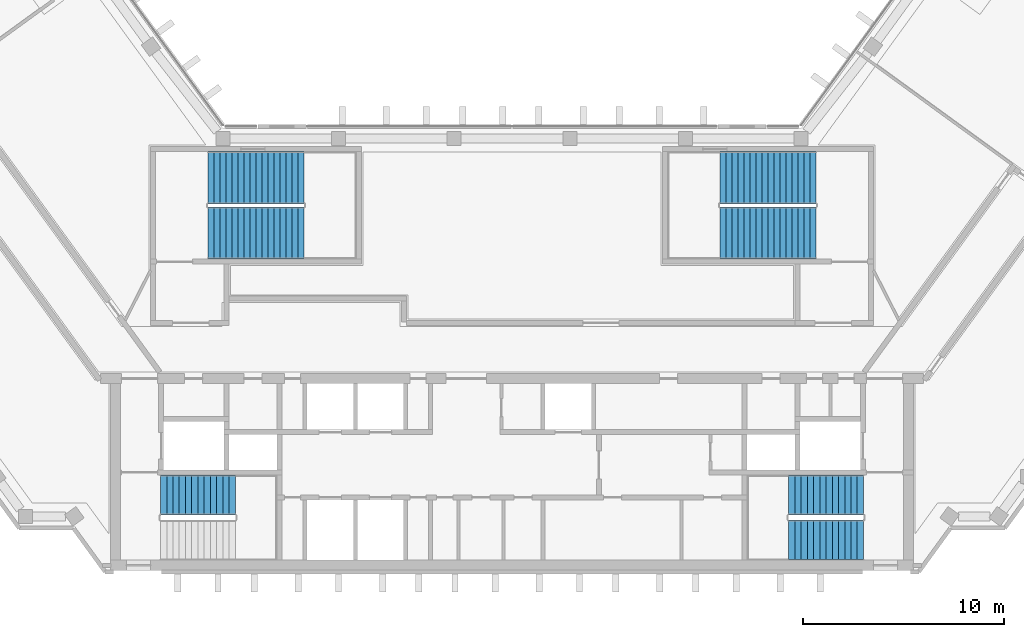
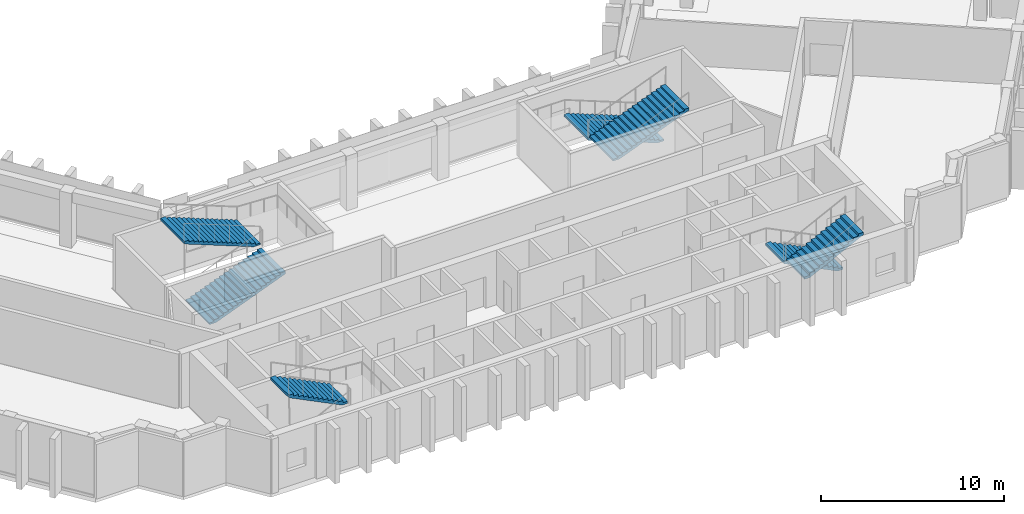
# One storey, part 7 of 9: 7 stair flights, 4 elements without a shape of their own.
"""IFC4 building model written with IfcOpenShell, lengths in metres."""

from ifc_helpers import new_model, si_unit, direction, frame, origin, place, context, subcontext, project, spatial, polyline, outline, extrude, material, type_object, element, aggregate, save


model = new_model("IFC4")

# Units and contexts
model_context = context("Model", 3, precision=1e-05, world=origin(), true_north=direction((0.0, 1.0)))
body_context = subcontext(model_context, "Body", "Model", "MODEL_VIEW")
ifc_project = project(units=[si_unit("LENGTHUNIT", "METRE"), si_unit("AREAUNIT", "SQUARE_METRE"), si_unit("VOLUMEUNIT", "CUBIC_METRE"), si_unit("PLANEANGLEUNIT", "RADIAN"), si_unit("MASSUNIT", "GRAM", prefix="KILO")], contexts=[model_context])

# Site, building, storey
site_placement = place(None, origin())
site = spatial("IfcSite", under=ifc_project, at=site_placement, CompositionType="ELEMENT")
building_placement = place(site_placement, origin())
building = spatial("IfcBuilding", under=site, at=building_placement, Name="Quipu Civic Tower", CompositionType="ELEMENT")
storey_placement = place(building_placement, frame((0.0, 0.0, 307.0)))
storey = spatial("IfcBuildingStorey", under=building, at=storey_placement, Name="L71", CompositionType="ELEMENT", Elevation=307.0)

# Stair, stair flight
ifc_material_1 = material(Name="Concrete C40/50", Category="concrete")
stair_type_1 = type_object("IfcStairType", Name="Half turn stair 2000", PredefinedType="HALF_TURN_STAIR", material=ifc_material_1)
stair_1_placement = place(storey_placement, origin())
stair_1 = element("IfcStair", 1, at=stair_1_placement, inside=storey, type_object=stair_type_1, Name="Exit stair 1", PredefinedType="HALF_TURN_STAIR")
ifc_material_2 = material(Name="Concrete C40/50", Category="concrete")
stair_flight_type_1 = type_object("IfcStairFlightType", Name="Stair flight 2000", PredefinedType="STRAIGHT", material=ifc_material_2)
stair_flight_1_placement = place(storey_placement, frame((-13.780029296875, -7.25, 2.0), z_axis=(0.0, 0.0, 1.0), x_axis=(-1.0, 0.0, 0.0)))
stair_flight_1 = element("IfcStairFlight", 2, at=stair_flight_1_placement, type_object=stair_flight_type_1, Name="ST-1 flight 2", NumberOfRisers=13, NumberOfTreads=12, PredefinedType="STRAIGHT", RiserHeight=0.153846154, TreadLength=0.31, context=body_context, shape_type="SweptSolid", body=[
    extrude(outline(polyline([(0.0, 0.0), (0.0, 0.15380859375), (0.31005859375, 0.15380859375), (0.31005859375, 0.3076171875), (0.6201171875, 0.3076171875), (0.6201171875, 0.46142578125), (0.929931640625, 0.46142578125), (0.929931640625, 0.615478515625), (1.239990234375, 0.615478515625), (1.239990234375, 0.769287109375), (1.550048828125, 0.769287109375), (1.550048828125, 0.923095703125), (1.860107421875, 0.923095703125), (1.860107421875, 1.076904296875), (2.169921875, 1.076904296875), (2.169921875, 1.230712890625), (2.47998046875, 1.230712890625), (2.47998046875, 1.384521484375), (2.7900390625, 1.384521484375), (2.7900390625, 1.53857421875), (3.10009765625, 1.53857421875), (3.10009765625, 1.6923828125), (3.409912109375, 1.6923828125), (3.409912109375, 1.84619140625), (3.719970703125, 1.84619140625), (3.719970703125, 2.0), (3.719970703125, 1.6787109375), (0.337158203125, 0.0), (0.0, 0.0)])), frame((0.0, 1.0, 0.0), z_axis=(0.0, -1.0, 0.0), x_axis=(1.0, 0.0, 0.0)), (0.0, 0.0, 1.0), 2.0),
])
aggregate(stair_1, [stair_flight_1])

# Stair, stair flights
stair_2_placement = place(storey_placement, origin())
stair_2 = element("IfcStair", 3, at=stair_2_placement, inside=storey, type_object=stair_type_1, Name="Exit stair 2", PredefinedType="HALF_TURN_STAIR")
stair_flight_2_placement = place(storey_placement, frame((17.5, -7.25, 0.0), z_axis=(0.0, 0.0, 1.0), x_axis=(-1.0, 0.0, 0.0)))
stair_flight_2 = element("IfcStairFlight", 4, at=stair_flight_2_placement, type_object=stair_flight_type_1, Name="ST-2 flight 1", NumberOfRisers=13, NumberOfTreads=12, PredefinedType="STRAIGHT", RiserHeight=0.153846154, TreadLength=0.31, context=body_context, shape_type="SweptSolid", body=[
    extrude(outline(polyline([(0.0, 0.0), (0.0, 0.15380859375), (0.31005859375, 0.15380859375), (0.31005859375, 0.3076171875), (0.6201171875, 0.3076171875), (0.6201171875, 0.46142578125), (0.929931640625, 0.46142578125), (0.929931640625, 0.615478515625), (1.239990234375, 0.615478515625), (1.239990234375, 0.769287109375), (1.550048828125, 0.769287109375), (1.550048828125, 0.923095703125), (1.860107421875, 0.923095703125), (1.860107421875, 1.076904296875), (2.169921875, 1.076904296875), (2.169921875, 1.230712890625), (2.47998046875, 1.230712890625), (2.47998046875, 1.384521484375), (2.7900390625, 1.384521484375), (2.7900390625, 1.53857421875), (3.10009765625, 1.53857421875), (3.10009765625, 1.6923828125), (3.409912109375, 1.6923828125), (3.409912109375, 1.84619140625), (3.719970703125, 1.84619140625), (3.719970703125, 2.0), (3.719970703125, 1.6787109375), (0.337158203125, 0.0), (0.0, 0.0)])), frame((0.0, 1.0, 0.0), z_axis=(0.0, -1.0, 0.0), x_axis=(1.0, 0.0, 0.0)), (0.0, 0.0, 1.0), 2.0),
])
stair_flight_3_placement = place(storey_placement, frame((13.780029296875, -9.5, 2.0), z_axis=(0.0, 0.0, 1.0), x_axis=(1.0, 0.0, 0.0)))
stair_flight_3 = element("IfcStairFlight", 5, at=stair_flight_3_placement, type_object=stair_flight_type_1, Name="ST-2 flight 2", NumberOfRisers=13, NumberOfTreads=12, PredefinedType="STRAIGHT", RiserHeight=0.153846154, TreadLength=0.31, context=body_context, shape_type="SweptSolid", body=[
    extrude(outline(polyline([(0.0, 0.0), (0.0, 0.15380859375), (0.31005859375, 0.15380859375), (0.31005859375, 0.3076171875), (0.6201171875, 0.3076171875), (0.6201171875, 0.46142578125), (0.929931640625, 0.46142578125), (0.929931640625, 0.615478515625), (1.239990234375, 0.615478515625), (1.239990234375, 0.769287109375), (1.550048828125, 0.769287109375), (1.550048828125, 0.923095703125), (1.860107421875, 0.923095703125), (1.860107421875, 1.076904296875), (2.169921875, 1.076904296875), (2.169921875, 1.230712890625), (2.47998046875, 1.230712890625), (2.47998046875, 1.384521484375), (2.7900390625, 1.384521484375), (2.7900390625, 1.53857421875), (3.10009765625, 1.53857421875), (3.10009765625, 1.6923828125), (3.409912109375, 1.6923828125), (3.409912109375, 1.84619140625), (3.719970703125, 1.84619140625), (3.719970703125, 2.0), (3.719970703125, 1.6787109375), (0.337158203125, 0.0), (0.0, 0.0)])), frame((0.0, 1.0, 0.0), z_axis=(0.0, -1.0, 0.0), x_axis=(1.0, 0.0, 0.0)), (0.0, 0.0, 1.0), 2.0),
])
aggregate(stair_2, [stair_flight_2, stair_flight_3])

ifc_material_3 = material(Name="Concrete C40/50", Category="concrete")
stair_type_2 = type_object("IfcStairType", Name="Half turn stair 2600", PredefinedType="HALF_TURN_STAIR", material=ifc_material_3)
stair_3_placement = place(storey_placement, origin())
stair_3 = element("IfcStair", 6, at=stair_3_placement, inside=storey, type_object=stair_type_2, Name="Exit stair 3", PredefinedType="HALF_TURN_STAIR")
ifc_material_4 = material(Name="Concrete C40/50", Category="concrete")
stair_flight_type_2 = type_object("IfcStairFlightType", Name="Stair flight 2600", PredefinedType="STRAIGHT", material=ifc_material_4)
stair_flight_4_placement = place(storey_placement, frame((-15.14990234375, 5.800048828125, 0.0), z_axis=(0.0, 0.0, 1.0), x_axis=(1.0, 0.0, 0.0)))
stair_flight_4 = element("IfcStairFlight", 7, at=stair_flight_4_placement, type_object=stair_flight_type_2, Name="ST-3 flight 1", NumberOfRisers=17, NumberOfTreads=16, PredefinedType="STRAIGHT", RiserHeight=0.117647059, TreadLength=0.3, context=body_context, shape_type="SweptSolid", body=[
    extrude(outline(polyline([(0.0, 0.0), (0.0, 0.11767578125), (0.300048828125, 0.11767578125), (0.300048828125, 0.2353515625), (0.60009765625, 0.2353515625), (0.60009765625, 0.35302734375), (0.89990234375, 0.35302734375), (0.89990234375, 0.470703125), (1.199951171875, 0.470703125), (1.199951171875, 0.588134765625), (1.5, 0.588134765625), (1.5, 0.705810546875), (1.800048828125, 0.705810546875), (1.800048828125, 0.823486328125), (2.10009765625, 0.823486328125), (2.10009765625, 0.941162109375), (2.39990234375, 0.941162109375), (2.39990234375, 1.058837890625), (2.699951171875, 1.058837890625), (2.699951171875, 1.176513671875), (3.0, 1.176513671875), (3.0, 1.294189453125), (3.300048828125, 1.294189453125), (3.300048828125, 1.411865234375), (3.60009765625, 1.411865234375), (3.60009765625, 1.529296875), (3.89990234375, 1.529296875), (3.89990234375, 1.64697265625), (4.199951171875, 1.64697265625), (4.199951171875, 1.7646484375), (4.5, 1.7646484375), (4.5, 1.88232421875), (4.800048828125, 1.88232421875), (4.800048828125, 2.0), (4.800048828125, 1.721435546875), (0.41064453125, 0.0), (0.0, 0.0)])), frame((0.0, 1.300048828125, 0.0), z_axis=(0.0, -1.0, 0.0), x_axis=(1.0, 0.0, 0.0)), (0.0, 0.0, 1.0), 2.60009765625),
])
stair_flight_5_placement = place(storey_placement, frame((-10.35009765625, 8.550048828125, 2.0), z_axis=(0.0, 0.0, 1.0), x_axis=(-1.0, 0.0, 0.0)))
stair_flight_5 = element("IfcStairFlight", 8, at=stair_flight_5_placement, type_object=stair_flight_type_2, Name="ST-3 flight 2", NumberOfRisers=17, NumberOfTreads=16, PredefinedType="STRAIGHT", RiserHeight=0.117647059, TreadLength=0.3, context=body_context, shape_type="SweptSolid", body=[
    extrude(outline(polyline([(0.0, 0.0), (0.0, 0.11767578125), (0.300048828125, 0.11767578125), (0.300048828125, 0.2353515625), (0.60009765625, 0.2353515625), (0.60009765625, 0.35302734375), (0.89990234375, 0.35302734375), (0.89990234375, 0.470703125), (1.199951171875, 0.470703125), (1.199951171875, 0.588134765625), (1.5, 0.588134765625), (1.5, 0.705810546875), (1.800048828125, 0.705810546875), (1.800048828125, 0.823486328125), (2.10009765625, 0.823486328125), (2.10009765625, 0.941162109375), (2.39990234375, 0.941162109375), (2.39990234375, 1.058837890625), (2.699951171875, 1.058837890625), (2.699951171875, 1.176513671875), (3.0, 1.176513671875), (3.0, 1.294189453125), (3.300048828125, 1.294189453125), (3.300048828125, 1.411865234375), (3.60009765625, 1.411865234375), (3.60009765625, 1.529296875), (3.89990234375, 1.529296875), (3.89990234375, 1.64697265625), (4.199951171875, 1.64697265625), (4.199951171875, 1.7646484375), (4.5, 1.7646484375), (4.5, 1.88232421875), (4.800048828125, 1.88232421875), (4.800048828125, 2.0), (4.800048828125, 1.721435546875), (0.41064453125, 0.0), (0.0, 0.0)])), frame((0.0, 1.300048828125, 0.0), z_axis=(0.0, -1.0, 0.0), x_axis=(1.0, 0.0, 0.0)), (0.0, 0.0, 1.0), 2.60009765625),
])
aggregate(stair_3, [stair_flight_4, stair_flight_5])

stair_4_placement = place(storey_placement, origin())
stair_4 = element("IfcStair", 9, at=stair_4_placement, inside=storey, type_object=stair_type_2, Name="Exit stair 4", PredefinedType="HALF_TURN_STAIR")
stair_flight_6_placement = place(storey_placement, frame((15.14990234375, 8.550048828125, 0.0), z_axis=(0.0, 0.0, 1.0), x_axis=(-1.0, 0.0, 0.0)))
stair_flight_6 = element("IfcStairFlight", 10, at=stair_flight_6_placement, type_object=stair_flight_type_2, Name="ST-4 flight 1", NumberOfRisers=17, NumberOfTreads=16, PredefinedType="STRAIGHT", RiserHeight=0.117647059, TreadLength=0.3, context=body_context, shape_type="SweptSolid", body=[
    extrude(outline(polyline([(0.0, 0.0), (0.0, 0.11767578125), (0.300048828125, 0.11767578125), (0.300048828125, 0.2353515625), (0.60009765625, 0.2353515625), (0.60009765625, 0.35302734375), (0.89990234375, 0.35302734375), (0.89990234375, 0.470703125), (1.199951171875, 0.470703125), (1.199951171875, 0.588134765625), (1.5, 0.588134765625), (1.5, 0.705810546875), (1.800048828125, 0.705810546875), (1.800048828125, 0.823486328125), (2.10009765625, 0.823486328125), (2.10009765625, 0.941162109375), (2.39990234375, 0.941162109375), (2.39990234375, 1.058837890625), (2.699951171875, 1.058837890625), (2.699951171875, 1.176513671875), (3.0, 1.176513671875), (3.0, 1.294189453125), (3.300048828125, 1.294189453125), (3.300048828125, 1.411865234375), (3.60009765625, 1.411865234375), (3.60009765625, 1.529296875), (3.89990234375, 1.529296875), (3.89990234375, 1.64697265625), (4.199951171875, 1.64697265625), (4.199951171875, 1.7646484375), (4.5, 1.7646484375), (4.5, 1.88232421875), (4.800048828125, 1.88232421875), (4.800048828125, 2.0), (4.800048828125, 1.721435546875), (0.41064453125, 0.0), (0.0, 0.0)])), frame((0.0, 1.300048828125, 0.0), z_axis=(0.0, -1.0, 0.0), x_axis=(1.0, 0.0, 0.0)), (0.0, 0.0, 1.0), 2.60009765625),
])
stair_flight_7_placement = place(storey_placement, frame((10.35009765625, 5.800048828125, 2.0), z_axis=(0.0, 0.0, 1.0), x_axis=(1.0, 0.0, 0.0)))
stair_flight_7 = element("IfcStairFlight", 11, at=stair_flight_7_placement, type_object=stair_flight_type_2, Name="ST-4 flight 2", NumberOfRisers=17, NumberOfTreads=16, PredefinedType="STRAIGHT", RiserHeight=0.117647059, TreadLength=0.3, context=body_context, shape_type="SweptSolid", body=[
    extrude(outline(polyline([(0.0, 0.0), (0.0, 0.11767578125), (0.300048828125, 0.11767578125), (0.300048828125, 0.2353515625), (0.60009765625, 0.2353515625), (0.60009765625, 0.35302734375), (0.89990234375, 0.35302734375), (0.89990234375, 0.470703125), (1.199951171875, 0.470703125), (1.199951171875, 0.588134765625), (1.5, 0.588134765625), (1.5, 0.705810546875), (1.800048828125, 0.705810546875), (1.800048828125, 0.823486328125), (2.10009765625, 0.823486328125), (2.10009765625, 0.941162109375), (2.39990234375, 0.941162109375), (2.39990234375, 1.058837890625), (2.699951171875, 1.058837890625), (2.699951171875, 1.176513671875), (3.0, 1.176513671875), (3.0, 1.294189453125), (3.300048828125, 1.294189453125), (3.300048828125, 1.411865234375), (3.60009765625, 1.411865234375), (3.60009765625, 1.529296875), (3.89990234375, 1.529296875), (3.89990234375, 1.64697265625), (4.199951171875, 1.64697265625), (4.199951171875, 1.7646484375), (4.5, 1.7646484375), (4.5, 1.88232421875), (4.800048828125, 1.88232421875), (4.800048828125, 2.0), (4.800048828125, 1.721435546875), (0.41064453125, 0.0), (0.0, 0.0)])), frame((0.0, 1.300048828125, 0.0), z_axis=(0.0, -1.0, 0.0), x_axis=(1.0, 0.0, 0.0)), (0.0, 0.0, 1.0), 2.60009765625),
])
aggregate(stair_4, [stair_flight_6, stair_flight_7])

save(model, "model.ifc")
